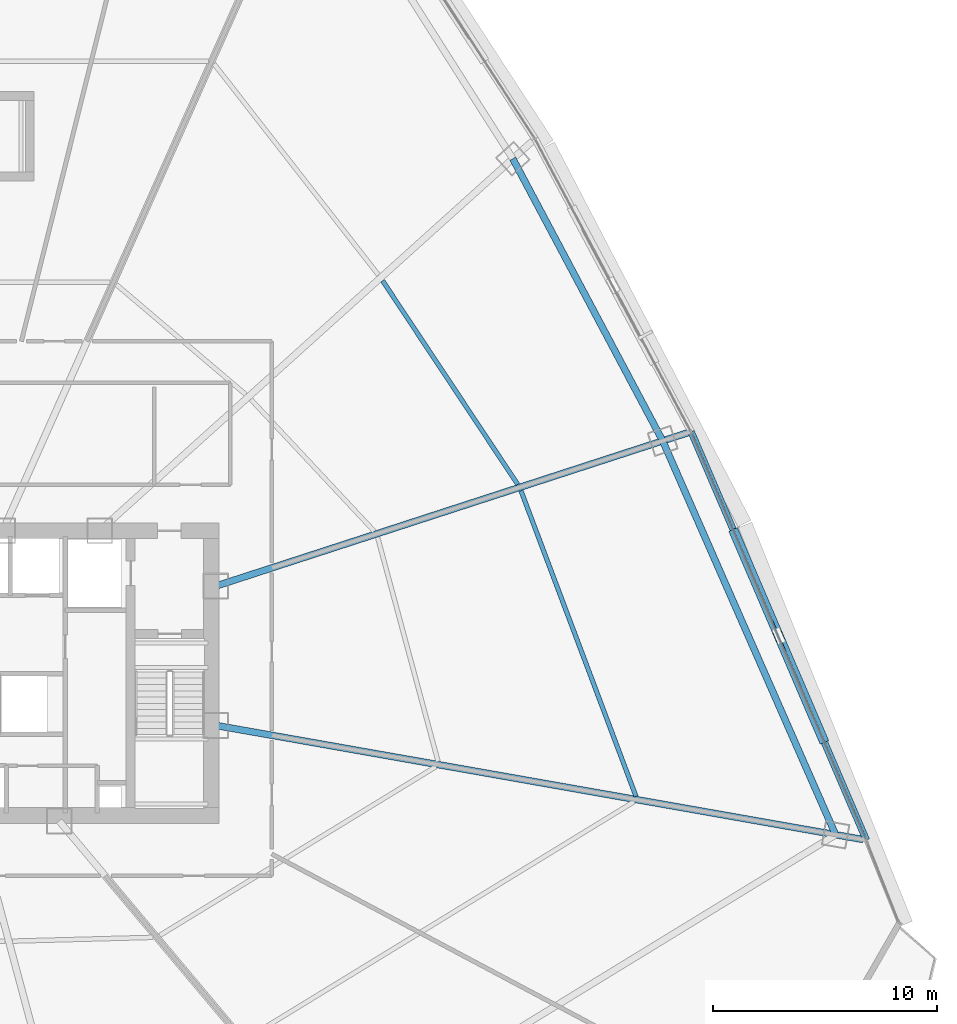
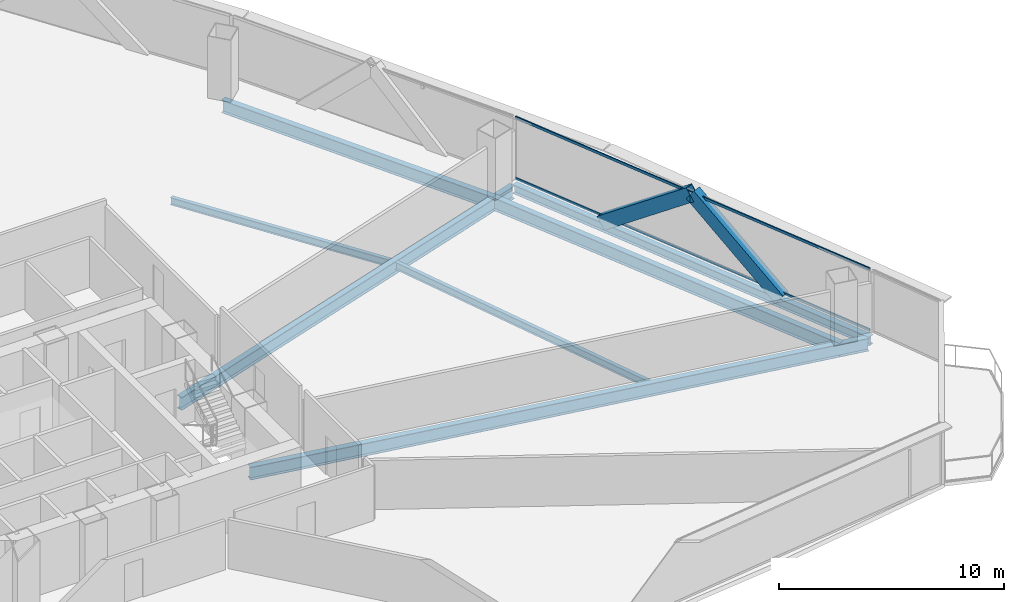
# One storey, part 23 of 37: 7 beams, 4 members, 1 element without a shape of its own.
"""IFC4 building model written with IfcOpenShell, lengths in metres."""

from ifc_helpers import new_model, si_unit, direction, frame, origin, origin_2d, place, context, subcontext, project, spatial, hollow_rectangle, i_section, extrude, source, transform, mapped, material, layer, layer_set, material_profile, profile_set, type_object, element, aggregate, save


model = new_model("IFC4")

# Units and contexts
model_context = context("Model", 3, precision=1e-05, world=origin(), true_north=direction((0.0, 1.0)))
body_context = subcontext(model_context, "Body", "Model", "MODEL_VIEW")
ifc_project = project(units=[si_unit("LENGTHUNIT", "METRE"), si_unit("AREAUNIT", "SQUARE_METRE"), si_unit("VOLUMEUNIT", "CUBIC_METRE"), si_unit("PLANEANGLEUNIT", "RADIAN"), si_unit("MASSUNIT", "GRAM", prefix="KILO"), si_unit("THERMODYNAMICTEMPERATUREUNIT", "KELVIN"), si_unit("POWERUNIT", "WATT")], contexts=[model_context])

# Site, building, storey
site_placement = place(None, origin())
site = spatial("IfcSite", under=ifc_project, at=site_placement, CompositionType="ELEMENT")
building_placement = place(site_placement, origin())
building = spatial("IfcBuilding", under=site, at=building_placement, Name="Yunzhuo Pagoda Commons", CompositionType="ELEMENT")
storey_placement = place(building_placement, frame((0.0, 0.0, 52.179931640625)))
storey = spatial("IfcBuildingStorey", under=building, at=storey_placement, Name="L13", CompositionType="ELEMENT", Elevation=52.179931640625)

# Beams
ifc_material_1 = material(Name="Structural steel Q355B", Category="steel")
ifc_material_profile_1 = material_profile(ifc_material_1, i_section(OverallWidth=0.300048828125, OverallDepth=0.699951171875, WebThickness=0.012939453125, FlangeThickness=0.02392578125, at=origin_2d()), Name="Structural steel Q355B")
ifc_profile_set_1 = profile_set([ifc_material_profile_1], Name="Structural steel Q355B")
beam_type_1 = type_object("IfcBeamType", Name="B-RG1 Beam HN 700x300x13x24", PredefinedType="BEAM", material=ifc_profile_set_1)
shared_shape_1 = source(origin(), body_context, "Body", "SweptSolid", [
    extrude(i_section(OverallWidth=0.300048828125, OverallDepth=0.699951171875, WebThickness=0.012939453125, FlangeThickness=0.02392578125, at=origin_2d()), origin(), (0.0, 0.0, 1.0), 19.18603515625),
])
beam_1_placement = place(storey_placement, frame((88.047607421875, 26.638427734375, -0.60986328125), z_axis=(-0.40196534204, 0.915654882474, 0.0), x_axis=(-0.915654882474, -0.40196534204, 0.0)))
element("IfcBeam", 1, at=beam_1_placement, inside=storey, type_object=beam_type_1, Name="L13 column-ring beam 5", PredefinedType="BEAM", context=body_context, shape_type="MappedRepresentation", body=[
    mapped(shared_shape_1, transform((0.0, 0.0, 0.0), scale=1.0)),
])
shared_shape_2 = source(origin(), body_context, "Body", "SweptSolid", [
    extrude(i_section(OverallWidth=0.300048828125, OverallDepth=0.699951171875, WebThickness=0.012939453125, FlangeThickness=0.02392578125, at=origin_2d()), origin(), (0.0, 0.0, 1.0), 14.25390625),
])
beam_2_placement = place(storey_placement, frame((80.33544921875, 44.206298828125, -0.60986328125), z_axis=(-0.469118073628, 0.883135455633, 0.0), x_axis=(-0.883135455633, -0.469118073628, 0.0)))
element("IfcBeam", 2, at=beam_2_placement, inside=storey, type_object=beam_type_1, Name="L13 column-ring beam 6", PredefinedType="BEAM", context=body_context, shape_type="MappedRepresentation", body=[
    mapped(shared_shape_2, transform((0.0, 0.0, 0.0), scale=1.0)),
])
ifc_material_profile_2 = material_profile(ifc_material_1, i_section(OverallWidth=0.199951171875, OverallDepth=0.39990234375, WebThickness=0.008056640625, FlangeThickness=0.012939453125, at=origin_2d()), Name="Structural steel Q355B")
ifc_profile_set_2 = profile_set([ifc_material_profile_2], Name="Structural steel Q355B")
beam_type_2 = type_object("IfcBeamType", Name="B-JS1 Joist HN 400x200x8x13", PredefinedType="JOIST", material=ifc_profile_set_2)
shared_shape_3 = source(origin(), body_context, "Body", "SweptSolid", [
    extrude(i_section(OverallWidth=0.199951171875, OverallDepth=0.39990234375, WebThickness=0.008056640625, FlangeThickness=0.012939453125, at=origin_2d()), origin(), (0.0, 0.0, 1.0), 14.571044921875),
])
beam_3_placement = place(storey_placement, frame((79.144287109375, 28.347412109375, -0.4599609375), z_axis=(-0.352208383632, 0.935921607027, 0.0), x_axis=(-0.935921607027, -0.352208383632, 0.0)))
element("IfcBeam", 3, at=beam_3_placement, inside=storey, type_object=beam_type_2, Name="L13 composite ring joist 2.5", PredefinedType="JOIST", context=body_context, shape_type="MappedRepresentation", body=[
    mapped(shared_shape_3, transform((0.0, 0.0, 0.0), scale=1.0)),
])
shared_shape_4 = source(origin(), body_context, "Body", "SweptSolid", [
    extrude(i_section(OverallWidth=0.199951171875, OverallDepth=0.39990234375, WebThickness=0.008056640625, FlangeThickness=0.012939453125, at=origin_2d()), origin(), (0.0, 0.0, 1.0), 10.904052734375),
])
beam_4_placement = place(storey_placement, frame((73.8681640625, 42.26611328125, -0.4599609375), z_axis=(-0.552916349928, 0.833236767061, 0.0), x_axis=(-0.833236767061, -0.552916349928, 0.0)))
element("IfcBeam", 4, at=beam_4_placement, inside=storey, type_object=beam_type_2, Name="L13 composite ring joist 2.6", PredefinedType="JOIST", context=body_context, shape_type="MappedRepresentation", body=[
    mapped(shared_shape_4, transform((0.0, 0.0, 0.0), scale=1.0)),
])
shared_shape_5 = source(origin(), body_context, "Body", "SweptSolid", [
    extrude(i_section(OverallWidth=0.300048828125, OverallDepth=0.699951171875, WebThickness=0.012939453125, FlangeThickness=0.02392578125, at=origin_2d()), origin(), (0.0, 0.0, 1.0), 29.313232421875),
])
beam_5_placement = place(storey_placement, frame((89.267822265625, 26.42333984375, -0.60986328125), z_axis=(-0.984808367131, 0.173644694792, 0.0), x_axis=(-0.173644694792, -0.984808367131, 0.0)))
element("IfcBeam", 5, at=beam_5_placement, inside=storey, type_object=beam_type_1, Name="L13 radial floor girder F2C1", PredefinedType="BEAM", context=body_context, shape_type="MappedRepresentation", body=[
    mapped(shared_shape_5, transform((0.0, 0.0, 0.0), scale=1.0)),
])
shared_shape_6 = source(origin(), body_context, "Body", "SweptSolid", [
    extrude(i_section(OverallWidth=0.300048828125, OverallDepth=0.699951171875, WebThickness=0.012939453125, FlangeThickness=0.02392578125, at=origin_2d()), origin(), (0.0, 0.0, 1.0), 22.139404296875),
])
beam_6_placement = place(storey_placement, frame((81.45556640625, 44.570556640625, -0.60986328125), z_axis=(-0.951054488387, -0.309023235565, 0.0), x_axis=(0.309023235565, -0.951054488387, 0.0)))
element("IfcBeam", 6, at=beam_6_placement, inside=storey, type_object=beam_type_1, Name="L13 radial floor girder F2C2", PredefinedType="BEAM", context=body_context, shape_type="MappedRepresentation", body=[
    mapped(shared_shape_6, transform((0.0, 0.0, 0.0), scale=1.0)),
])
ifc_material_profile_3 = material_profile(ifc_material_1, i_section(OverallWidth=0.300048828125, OverallDepth=0.488037109375, WebThickness=0.010986328125, FlangeThickness=0.01806640625, at=origin_2d()), Name="Structural steel Q355B")
ifc_profile_set_3 = profile_set([ifc_material_profile_3], Name="Structural steel Q355B")
beam_type_3 = type_object("IfcBeamType", Name="B-SP1 Beam HM 488x300x11x18", PredefinedType="BEAM", material=ifc_profile_set_3)
shared_shape_7 = source(origin(), body_context, "Body", "SweptSolid", [
    extrude(i_section(OverallWidth=0.300048828125, OverallDepth=0.488037109375, WebThickness=0.010986328125, FlangeThickness=0.01806640625, at=origin_2d()), origin(), (0.0, 0.0, 1.0), 19.828125),
])
beam_7_placement = place(storey_placement, frame((89.420654296875, 26.396484375, -0.50390625), z_axis=(-0.394280372783, 0.918990199969, 0.0), x_axis=(-0.918990199969, -0.394280372783, 0.0)))
element("IfcBeam", 7, at=beam_7_placement, inside=storey, type_object=beam_type_3, Name="L13 facade edge spandrel beam F2.1", PredefinedType="BEAM", context=body_context, shape_type="MappedRepresentation", body=[
    mapped(shared_shape_7, transform((0.0, 0.0, 0.0), scale=1.0)),
])

# Members
ifc_material_2 = material(Name="Structural steel Q420B", Category="steel")
ifc_material_profile_4 = material_profile(ifc_material_2, hollow_rectangle(XDim=0.419921875, YDim=0.719970703125, WallThickness=0.028076171875, at=origin_2d()), Name="Structural steel Q420B")
ifc_profile_set_4 = profile_set([ifc_material_profile_4], Name="Structural steel Q420B")
member_type_1 = type_object("IfcMemberType", Name="M-DL1 Brace BOX 720x420x28", PredefinedType="BRACE", material=ifc_profile_set_4)
shared_shape_8 = source(origin(), body_context, "Body", "SweptSolid", [
    extrude(hollow_rectangle(XDim=0.419921875, YDim=0.719970703125, WallThickness=0.028076171875, at=origin_2d()), origin(), (0.0, 0.0, 1.0), 6.14404296875),
])
for number, where, z_axis, x_axis, name in (
    (8, (87.46630859375, 30.951904296875, -0.260009765625), (-0.318124135988, 0.741428710143, 0.590830349489), (-0.918979362661, -0.394305631463, 0.0), "L13 facade diamond brace F2.1L"),
    (9, (83.557373046875, 40.062744140625, -0.260009765625), (0.318088420968, -0.741438082054, 0.590837817786), (0.918997208693, 0.394264036421, 0.0), "L13 facade diamond brace F2.1R"),
):
    element("IfcMember", number, at=place(storey_placement, frame(where, z_axis=z_axis, x_axis=x_axis)), inside=storey, type_object=member_type_1, Name=name, PredefinedType="BRACE", context=body_context, shape_type="MappedRepresentation", body=[
        mapped(shared_shape_8, transform((0.0, 0.0, 0.0), scale=1.0)),
    ])

# Curtain wall, members
ifc_material_3 = material(Name="Anodized aluminium 6063-T6", Category="aluminium")
ifc_layer = layer(ifc_material_3, 0.1650390625)
ifc_layer_set = layer_set([ifc_layer], Name="Anodized aluminium 6063-T6")
curtain_wall_type = type_object("IfcCurtainWallType", Name="CW-LOW Low-Zone Ribbon Curtain Wall", PredefinedType="NOTDEFINED", material=ifc_layer_set)
curtain_wall_placement = place(storey_placement, origin())
curtain_wall = element("IfcCurtainWall", 10, at=curtain_wall_placement, inside=storey, type_object=curtain_wall_type, Name="L13 curtain wall CW-L13-F2B2", PredefinedType="NOTDEFINED")
ifc_material_profile_5 = material_profile(ifc_material_3, hollow_rectangle(XDim=0.06005859375, YDim=0.139892578125, WallThickness=0.00341796875, at=origin_2d()), Name="Anodized aluminium 6063-T6")
ifc_profile_set_5 = profile_set([ifc_material_profile_5], Name="Anodized aluminium 6063-T6")
member_type_2 = type_object("IfcMemberType", Name="CW-LOW-T Transom RHS 140x60x3.5", PredefinedType="USERDEFINED", material=ifc_profile_set_5)
shared_shape_9 = source(origin(), body_context, "Body", "SweptSolid", [
    extrude(hollow_rectangle(XDim=0.06005859375, YDim=0.139892578125, WallThickness=0.00341796875, at=origin_2d()), origin(), (0.0, 0.0, 1.0), 19.698486328125),
])
member_1_placement = place(storey_placement, frame((89.395263671875, 26.4560546875, 0.030029296875), z_axis=(-0.394288734681, 0.918986612364, 0.0), x_axis=(-0.918986612364, -0.394288734681, 0.0)))
member_1 = element("IfcMember", 11, at=member_1_placement, type_object=member_type_2, Name="CW transom 1.1", ObjectType="TRANSOM", PredefinedType="USERDEFINED", context=body_context, shape_type="MappedRepresentation", body=[
    mapped(shared_shape_9, transform((0.0, 0.0, 0.0), scale=1.0)),
])
member_2_placement = place(storey_placement, frame((89.395263671875, 26.4560546875, 3.34033203125), z_axis=(-0.394288734681, 0.918986612364, 0.0), x_axis=(-0.918986612364, -0.394288734681, 0.0)))
member_2 = element("IfcMember", 12, at=member_2_placement, type_object=member_type_2, Name="CW transom 1.2", ObjectType="TRANSOM", PredefinedType="USERDEFINED", context=body_context, shape_type="MappedRepresentation", body=[
    mapped(shared_shape_9, transform((0.0, 0.0, 0.0), scale=1.0)),
])
aggregate(curtain_wall, [member_1, member_2])

save(model, "model.ifc")
